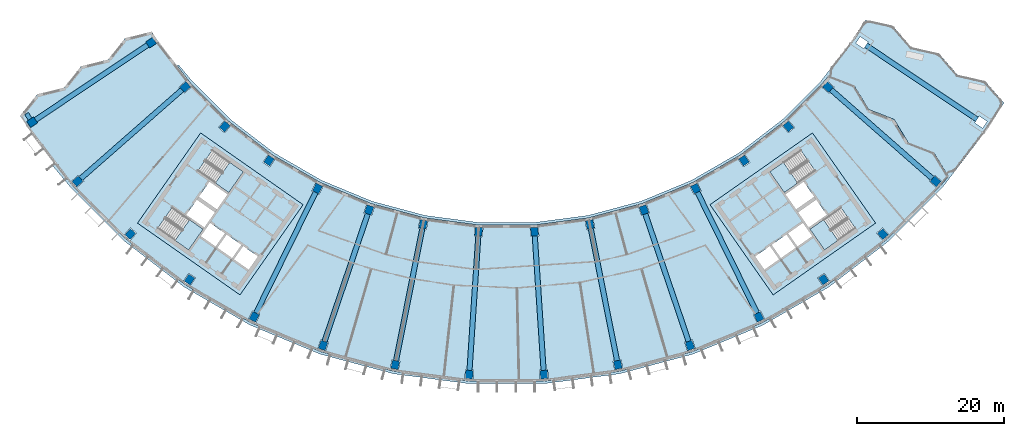
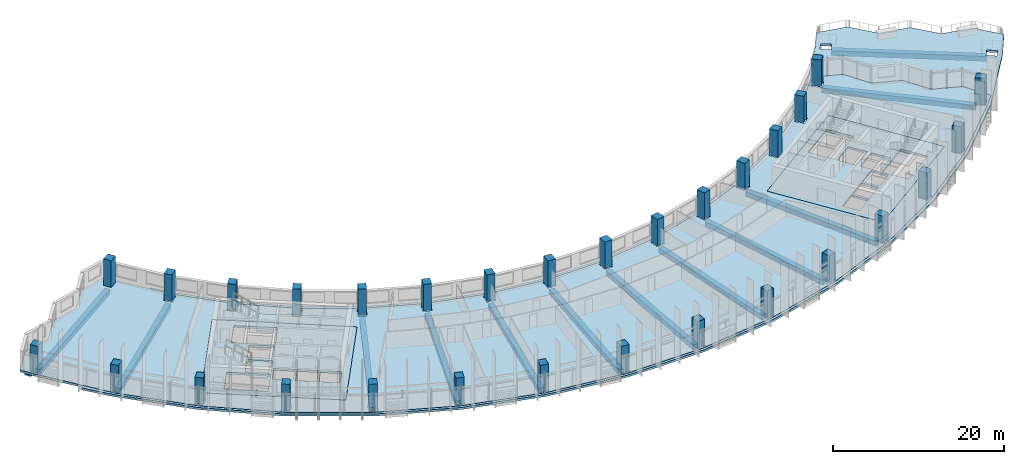
# One storey, part 1 of 30: 30 columns, 13 beams, 8 slabs, 4 elements without a shape of their own.
"""IFC4 building model written with IfcOpenShell, lengths in metres."""

import ifcopenshell
import ifcopenshell.guid

model = None  # the IFC model being written
_history = None  # IfcOwnerHistory: only IFC2X3 demands one
_inside = {}  # id of a spatial element -> (the spatial element, [elements in it])
_under = {}  # id of a project, library or spatial element -> (it, [spatial elements below it])
_declared = {}  # id of a project -> (the project, [libraries it declares])
_typed = {}  # id of a type object -> (the type object, [elements of that type])
_made_of = {}  # id of a material, layer set ... -> (it, [elements and type objects made of it])


def new_model(schema):
    """Start an empty IFC model of exactly this schema.

    Asked for "IFC4X3", IfcOpenShell would pick the latest addendum, in which some entities
    have other attributes; the version numbers below select the first issue.
    IFC2X3 requires an IfcOwnerHistory on every rooted entity: one is made here for all.
    """
    global model, _history
    if schema == "IFC4X3":
        model = ifcopenshell.file(schema_version=(4, 3, 0, 0))
    else:
        model = ifcopenshell.file(schema=schema)
    _inside.clear()
    _under.clear()
    _declared.clear()
    _typed.clear()
    _made_of.clear()
    _history = None
    if model.schema == "IFC2X3":
        org = make("IfcOrganization", Name="unknown")
        user = make(
            "IfcPersonAndOrganization",
            ThePerson=make("IfcPerson", FamilyName="unknown"),
            TheOrganization=org,
        )
        app = make(
            "IfcApplication",
            ApplicationDeveloper=org,
            Version="unknown",
            ApplicationFullName="unknown",
            ApplicationIdentifier="unknown",
        )
        _history = make(
            "IfcOwnerHistory",
            OwningUser=user,
            OwningApplication=app,
            ChangeAction="ADDED",
            CreationDate=0,
        )
    return model


def make(cls, **values):
    """One entity of the class cls with the attributes given. An attribute that is None is left unset."""
    return model.create_entity(
        cls, **{name: value for name, value in values.items() if value is not None}
    )


def rooted(cls, **values):
    """An entity with a GlobalId (a new one), such as an element, a storey or a relation."""
    return make(cls, GlobalId=ifcopenshell.guid.new(), OwnerHistory=_history, **values)


def si_unit(unit_type, name, prefix=None):
    """IfcSIUnit, for example si_unit("LENGTHUNIT", "METRE", prefix="MILLI")."""
    return make("IfcSIUnit", UnitType=unit_type, Prefix=prefix, Name=name)


def assignment(units):
    """IfcUnitAssignment: the units of a project."""
    return None if units is None else make("IfcUnitAssignment", Units=units)


def point(xyz):
    """IfcCartesianPoint."""
    return None if xyz is None else make("IfcCartesianPoint", Coordinates=xyz)


def direction(xyz):
    """IfcDirection."""
    return None if xyz is None else make("IfcDirection", DirectionRatios=xyz)


def frame(location, z_axis=None, x_axis=None):
    """IfcAxis2Placement3D, a coordinate frame: its origin and axes. An axis left out is left unset."""
    return make(
        "IfcAxis2Placement3D",
        Location=point(location),
        Axis=direction(z_axis),
        RefDirection=direction(x_axis),
    )


def frame_2d(location, x_axis=None):
    """IfcAxis2Placement2D, a coordinate frame in the plane: its origin and x axis."""
    return make(
        "IfcAxis2Placement2D", Location=point(location), RefDirection=direction(x_axis)
    )


def origin():
    """The frame at (0, 0, 0) with its axes left unset."""
    return frame((0.0, 0.0, 0.0))


def origin_2d():
    """The frame at (0, 0) in the plane with its x axis left unset."""
    return frame_2d((0.0, 0.0))


def place(relative_to, where):
    """IfcLocalPlacement: puts the frame where relative to a parent placement (None: the world)."""
    return make(
        "IfcLocalPlacement", PlacementRelTo=relative_to, RelativePlacement=where
    )


def context(
    kind, dimensions, precision=None, world=None, true_north=None, identifier=None
):
    """IfcGeometricRepresentationContext, for example the 3D "Model" context."""
    return make(
        "IfcGeometricRepresentationContext",
        ContextIdentifier=identifier,
        ContextType=kind,
        CoordinateSpaceDimension=dimensions,
        Precision=precision,
        WorldCoordinateSystem=world,
        TrueNorth=true_north,
    )


def subcontext(parent, identifier, kind, view, scale=None):
    """IfcGeometricRepresentationSubContext, for example "Body" below "Model"."""
    return make(
        "IfcGeometricRepresentationSubContext",
        ContextIdentifier=identifier,
        ContextType=kind,
        ParentContext=parent,
        TargetScale=scale,
        TargetView=view,
    )


def project(units=None, contexts=None):
    """IfcProject with its units and contexts."""
    return rooted(
        "IfcProject",
        Name="project",
        RepresentationContexts=contexts,
        UnitsInContext=assignment(units),
    )


def spatial(cls, under=None, at=None, **own):
    """A site, building, storey or space (cls), placed at a placement, below another one or the project."""
    s = rooted(cls, ObjectPlacement=at, **own)
    if under is not None:
        _under.setdefault(under.id(), (under, []))[1].append(s)
    return s


def polyline(points):
    """IfcPolyline through the points."""
    return make("IfcPolyline", Points=[point(p) for p in points])


def profile(cls, at=None, kind="AREA", **sizes):
    """A parametric profile (cls). Its sizes go by their IFC names, for example OverallWidth=200.0."""
    return make(cls, ProfileType=kind, Position=at, **sizes)


def rectangle(**sizes):
    """IfcRectangleProfileDef."""
    return profile("IfcRectangleProfileDef", **sizes)


def outline(outer, holes=None, kind="AREA"):
    """IfcArbitraryClosedProfileDef: a profile drawn as a closed curve; with holes, ...WithVoids."""
    if holes is None:
        return make("IfcArbitraryClosedProfileDef", ProfileType=kind, OuterCurve=outer)
    return make(
        "IfcArbitraryProfileDefWithVoids",
        ProfileType=kind,
        OuterCurve=outer,
        InnerCurves=holes,
    )


def extrude(swept, where, along, depth):
    """IfcExtrudedAreaSolid: the profile swept, set in the frame where, extruded along a direction by depth."""
    return make(
        "IfcExtrudedAreaSolid",
        SweptArea=swept,
        Position=where,
        ExtrudedDirection=direction(along),
        Depth=depth,
    )


def shape(context_of_items, identifier, shape_type, items):
    """IfcShapeRepresentation: the items that make up one representation, for example the "Body"."""
    return make(
        "IfcShapeRepresentation",
        ContextOfItems=context_of_items,
        RepresentationIdentifier=identifier,
        RepresentationType=shape_type,
        Items=items,
    )


def material(Name=None, Category=None):
    """IfcMaterial."""
    return make("IfcMaterial", Name=Name, Category=Category)


def layer(
    of_material, thickness, ventilated=None, Name=None, Category=None, Priority=None
):
    """IfcMaterialLayer: one layer of a wall or slab, of a material (None: an air gap)."""
    return make(
        "IfcMaterialLayer",
        Material=of_material,
        LayerThickness=thickness,
        IsVentilated=ventilated,
        Name=Name,
        Category=Category,
        Priority=Priority,
    )


def layer_set(layers, Name=None):
    """IfcMaterialLayerSet."""
    return make("IfcMaterialLayerSet", MaterialLayers=layers, LayerSetName=Name)


def material_profile(
    of_material, cross_section, Name=None, Category=None, Priority=None
):
    """IfcMaterialProfile: a cross section and its material."""
    return make(
        "IfcMaterialProfile",
        Name=Name,
        Material=of_material,
        Profile=cross_section,
        Priority=Priority,
        Category=Category,
    )


def profile_set(profiles, Name=None, composite=None):
    """IfcMaterialProfileSet."""
    return make(
        "IfcMaterialProfileSet",
        Name=Name,
        MaterialProfiles=profiles,
        CompositeProfile=composite,
    )


def made_of(thing, what):
    """Note that an element or type object is made of a material, layer set ...; save() writes the relation."""
    if what is not None:
        _made_of.setdefault(what.id(), (what, []))[1].append(thing)
    return thing


def type_object(cls, material=None, **own):
    """A type object (cls), such as IfcWallType, which elements share."""
    return made_of(rooted(cls, **own), material)


def element(
    cls,
    number,
    at=None,
    inside=None,
    cuts=None,
    type_object=None,
    material=None,
    context=None,
    identifier="Body",
    shape_type=None,
    held_by="IfcProductDefinitionShape",
    body=None,
    shapes=None,
    **own,
):
    """One element of the class cls, such as IfcWall. Its Tag is "e" and its number.

    at: its placement. inside: the storey or other place that contains it. cuts: it is an
    opening in that element (IfcRelVoidsElement). A single representation is given by context,
    identifier, shape_type and body (its items); several are given by shapes. held_by: the class
    of the entity that holds the representations. save() writes the other relations.
    """
    e = rooted(cls, Tag="e%d" % number, ObjectPlacement=at, **own)
    if body is not None:
        shapes = [shape(context, identifier, shape_type, body)]
    if shapes is not None:
        e.Representation = make(held_by, Representations=shapes)
    if inside is not None:
        _inside.setdefault(inside.id(), (inside, []))[1].append(e)
    if cuts is not None:
        rooted(
            "IfcRelVoidsElement", RelatingBuildingElement=cuts, RelatedOpeningElement=e
        )
    if type_object is not None:
        _typed.setdefault(type_object.id(), (type_object, []))[1].append(e)
    return made_of(e, material)


def aggregate(whole, parts):
    """IfcRelAggregates: a whole, such as a stair, and the parts it consists of."""
    return rooted("IfcRelAggregates", RelatingObject=whole, RelatedObjects=parts)


def save(model, path):
    """Write the relations noted so far, then the file.

    IfcRelAggregates (storeys below a building ...), IfcRelContainedInSpatialStructure (elements
    in a storey), IfcRelDefinesByType, IfcRelAssociatesMaterial and IfcRelDeclares: one each for
    every whole, place, type object, material and project.
    """
    for whole, parts in _under.values():
        aggregate(whole, parts)
    for where, things in _inside.values():
        rooted(
            "IfcRelContainedInSpatialStructure",
            RelatedElements=things,
            RelatingStructure=where,
        )
    for kind, things in _typed.values():
        rooted("IfcRelDefinesByType", RelatedObjects=things, RelatingType=kind)
    for what, things in _made_of.values():
        rooted("IfcRelAssociatesMaterial", RelatedObjects=things, RelatingMaterial=what)
    for by, libraries in _declared.values():
        rooted("IfcRelDeclares", RelatingContext=by, RelatedDefinitions=libraries)
    model.write(path)


model = new_model("IFC4")

# Units and contexts
model_context = context("Model", 3, precision=1e-05, world=origin(), true_north=direction((0.0, 1.0)))
body_context = subcontext(model_context, "Body", "Model", "MODEL_VIEW")
ifc_project = project(units=[si_unit("LENGTHUNIT", "METRE"), si_unit("AREAUNIT", "SQUARE_METRE"), si_unit("VOLUMEUNIT", "CUBIC_METRE"), si_unit("PLANEANGLEUNIT", "RADIAN"), si_unit("MASSUNIT", "GRAM", prefix="KILO")], contexts=[model_context])

# Site, building, storey
site_placement = place(None, origin())
site = spatial("IfcSite", under=ifc_project, at=site_placement, CompositionType="ELEMENT")
building_placement = place(site_placement, origin())
building = spatial("IfcBuilding", under=site, at=building_placement, Name="Qamariyya Broadcast Tower", CompositionType="ELEMENT")
storey_placement = place(building_placement, frame((0.0, 0.0, 203.699951171875)))
storey = spatial("IfcBuildingStorey", under=building, at=storey_placement, Name="L48", CompositionType="ELEMENT", Elevation=203.699951171875)

# Columns
ifc_material_1 = material(Name="Concrete C60/75", Category="concrete")
ifc_material_profile_1 = material_profile(ifc_material_1, rectangle(XDim=1.0, YDim=1.14990234375, at=origin_2d()))
ifc_profile_set_1 = profile_set([ifc_material_profile_1], Name="Concrete C60/75")
column_type_1 = type_object("IfcColumnType", Name="RC column 1000 x 1150 C60/75", PredefinedType="COLUMN", material=ifc_profile_set_1)
for number, where, z_axis, x_axis, name in (
    (1, (-43.794677734375, -38.406982421875, 0.0), (0.0, 0.0, 1.0), (0.6593458151, -0.751839807479, 0.0), "Column C11 L48 B-R04"),
    (2, (-58.45556640625, -51.26416015625, 0.0), (0.0, 0.0, 1.0), (0.6593458151, -0.751839807479, 0.0), "Column C11 L48 C-R04"),
    (3, (-38.406982421875, -43.794677734375, 0.0), (0.0, 0.0, 1.0), (0.751839807479, -0.6593458151, 0.0), "Column C11 L48 B-R05"),
    (4, (-51.26416015625, -58.45556640625, 0.0), (0.0, 0.0, 1.0), (0.751839807479, -0.6593458151, 0.0), "Column C11 L48 C-R05"),
    (5, (-32.362060546875, -48.43310546875, 0.0), (0.0, 0.0, 1.0), (0.831469612303, -0.55557023302, 0.0), "Column C11 L48 B-R06"),
    (6, (-43.195556640625, -64.646728515625, 0.0), (0.0, 0.0, 1.0), (0.831469612303, -0.55557023302, 0.0), "Column C11 L48 C-R06"),
    (7, (-25.763427734375, -52.242919921875, 0.0), (0.0, 0.0, 1.0), (0.896872741533, -0.442288690219, 0.0), "Column C11 L48 B-R07"),
    (8, (-34.387939453125, -69.73193359375, 0.0), (0.0, 0.0, 1.0), (0.896872741533, -0.442288690219, 0.0), "Column C11 L48 C-R07"),
    (9, (-18.723876953125, -55.15869140625, 0.0), (0.0, 0.0, 1.0), (0.946930129495, -0.321439465303, 0.0), "Column C11 L48 B-R08"),
    (10, (-24.991943359375, -73.623779296875, 0.0), (0.0, 0.0, 1.0), (0.946930129495, -0.321439465303, 0.0), "Column C11 L48 C-R08"),
    (11, (-11.364013671875, -57.130859375, 0.0), (0.0, 0.0, 1.0), (0.980785280403, -0.195090322016, 0.0), "Column C11 L48 B-R09"),
    (12, (-15.168212890625, -76.256103515625, 0.0), (0.0, 0.0, 1.0), (0.980785280403, -0.195090322016, 0.0), "Column C11 L48 C-R09"),
    (13, (-3.809814453125, -58.125244140625, 0.0), (0.0, 0.0, 1.0), (0.997858923239, -0.06540312923, 0.0), "Column C11 L48 B-R10"),
    (14, (-5.085205078125, -77.58349609375, 0.0), (0.0, 0.0, 1.0), (0.997858923239, -0.06540312923, 0.0), "Column C11 L48 C-R10"),
    (15, (3.809814453125, -58.125244140625, 0.0), (0.0, 0.0, 1.0), (0.997858923239, 0.06540312923, 0.0), "Column C11 L48 B-R11"),
    (16, (5.085205078125, -77.58349609375, 0.0), (0.0, 0.0, 1.0), (0.997858923239, 0.06540312923, 0.0), "Column C11 L48 C-R11"),
    (17, (11.364013671875, -57.130859375, 0.0), (0.0, 0.0, 1.0), (0.980785280403, 0.195090322016, 0.0), "Column C11 L48 B-R12"),
    (18, (15.168212890625, -76.256103515625, 0.0), (0.0, 0.0, 1.0), (0.980785280403, 0.195090322016, 0.0), "Column C11 L48 C-R12"),
    (19, (18.723876953125, -55.15869140625, 0.0), (0.0, 0.0, 1.0), (0.946930129495, 0.321439465303, 0.0), "Column C11 L48 B-R13"),
    (20, (24.991943359375, -73.623779296875, 0.0), (0.0, 0.0, 1.0), (0.946930129495, 0.321439465303, 0.0), "Column C11 L48 C-R13"),
    (21, (25.763427734375, -52.242919921875, 0.0), (0.0, 0.0, 1.0), (0.896872741533, 0.442288690219, 0.0), "Column C11 L48 B-R14"),
    (22, (34.387939453125, -69.73193359375, 0.0), (0.0, 0.0, 1.0), (0.896872741533, 0.442288690219, 0.0), "Column C11 L48 C-R14"),
    (23, (32.362060546875, -48.43310546875, 0.0), (0.0, 0.0, 1.0), (0.831469612303, 0.55557023302, 0.0), "Column C11 L48 B-R15"),
    (24, (43.195556640625, -64.646728515625, 0.0), (0.0, 0.0, 1.0), (0.831469612303, 0.55557023302, 0.0), "Column C11 L48 C-R15"),
    (25, (38.406982421875, -43.794677734375, 0.0), (0.0, 0.0, 1.0), (0.751839807479, 0.6593458151, 0.0), "Column C11 L48 B-R16"),
    (26, (51.26416015625, -58.45556640625, 0.0), (0.0, 0.0, 1.0), (0.751839807479, 0.6593458151, 0.0), "Column C11 L48 C-R16"),
    (27, (43.794677734375, -38.406982421875, 0.0), (0.0, 0.0, 1.0), (0.6593458151, 0.751839807479, 0.0), "Column C11 L48 B-R17"),
    (28, (58.45556640625, -51.26416015625, 0.0), (0.0, 0.0, 1.0), (0.6593458151, 0.751839807479, 0.0), "Column C11 L48 C-R17"),
):
    element("IfcColumn", number, at=place(storey_placement, frame(where, z_axis=z_axis, x_axis=x_axis)), inside=storey, type_object=column_type_1, Name=name, PredefinedType="COLUMN", context=body_context, shape_type="SweptSolid", body=[
        extrude(rectangle(XDim=1.0, YDim=1.14990234375, at=origin_2d()), origin(), (0.0, 0.0, 1.0), 3.800048828125),
    ])
ifc_material_profile_2 = material_profile(ifc_material_1, rectangle(XDim=1.0, YDim=1.14990234375, at=origin_2d()))
ifc_profile_set_2 = profile_set([ifc_material_profile_2], Name="Concrete C60/75")
column_type_2 = type_object("IfcColumnType", Name="RC column 1000 x 1150 C60/75 on transfer truss", PredefinedType="COLUMN", material=ifc_profile_set_2)
for number, where, z_axis, x_axis, name in (
    (29, (-48.43310546875, -32.362060546875, -0.300048828125), (0.0, 0.0, 1.0), (0.55557023302, -0.831469612303, 0.0), "Column C10 L48 B-R03"),
    (30, (-64.646728515625, -43.195556640625, -0.300048828125), (0.0, 0.0, 1.0), (0.55557023302, -0.831469612303, 0.0), "Column C10 L48 C-R03"),
):
    element("IfcColumn", number, at=place(storey_placement, frame(where, z_axis=z_axis, x_axis=x_axis)), inside=storey, type_object=column_type_2, Name=name, PredefinedType="COLUMN", context=body_context, shape_type="SweptSolid", body=[
        extrude(rectangle(XDim=1.0, YDim=1.14990234375, at=origin_2d()), origin(), (0.0, 0.0, 1.0), 4.10009765625),
    ])

# Beams
ifc_material_2 = material(Name="Concrete C40/50", Category="concrete")
ifc_material_profile_3 = material_profile(ifc_material_2, rectangle(XDim=0.60009765625, YDim=0.699951171875, at=origin_2d()))
ifc_profile_set_3 = profile_set([ifc_material_profile_3], Name="Concrete C40/50")
beam_type_1 = type_object("IfcBeamType", Name="RC horn beam 600 x 700 C40/50", PredefinedType="BEAM", material=ifc_profile_set_3)
beam_1_placement = place(storey_placement, frame((-64.920166015625, -42.77685546875, -0.64990234375), z_axis=(-0.546784924005, 0.83727310173, 0.0), x_axis=(-0.83727310173, -0.546784924005, 0.0)))
element("IfcBeam", 31, at=beam_1_placement, inside=storey, type_object=beam_type_1, Name="Horn beam B19 L48 W C-R03", PredefinedType="BEAM", context=body_context, shape_type="SweptSolid", body=[
    extrude(rectangle(XDim=0.60009765625, YDim=0.699951171875, at=origin_2d()), origin(), (0.0, 0.0, 1.0), 0.878173828125),
])
ifc_material_profile_4 = material_profile(ifc_material_2, rectangle(XDim=0.699951171875, YDim=0.699951171875, at=origin_2d()))
ifc_profile_set_4 = profile_set([ifc_material_profile_4], Name="Concrete C40/50")
beam_type_2 = type_object("IfcBeamType", Name="RC radial beam 700 x 700 C40/50", PredefinedType="BEAM", material=ifc_profile_set_4)
beam_2_placement = place(storey_placement, frame((-48.9111328125, -32.681396484375, -0.64990234375), z_axis=(-0.831468530479, -0.55557185208, 0.0), x_axis=(0.55557185208, -0.831468530479, 0.0)))
element("IfcBeam", 32, at=beam_2_placement, inside=storey, type_object=beam_type_2, Name="Radial beam B18 L48 R03 B-C", PredefinedType="BEAM", context=body_context, shape_type="SweptSolid", body=[
    extrude(rectangle(XDim=0.699951171875, YDim=0.699951171875, at=origin_2d()), origin(), (0.0, 0.0, 1.0), 18.35009765625),
])
for number, where, z_axis, x_axis, name in (
    (33, (-44.22705078125, -38.7861328125, -0.64990234375), (-0.751840222646, -0.659345341692, 0.0), (0.659345341692, -0.751840222646, 0.0), "Radial beam B18 L48 R04 B-C"),
    (34, (-26.017578125, -52.758544921875, -0.64990234375), (-0.442289405452, -0.896872388819, 0.0), (0.896872388819, -0.442289405452, 0.0), "Radial beam B18 L48 R07 B-C"),
):
    element("IfcBeam", number, at=place(storey_placement, frame(where, z_axis=z_axis, x_axis=x_axis)), inside=storey, type_object=beam_type_2, Name=name, PredefinedType="BEAM", context=body_context, shape_type="SweptSolid", body=[
        extrude(rectangle(XDim=0.699951171875, YDim=0.699951171875, at=origin_2d()), origin(), (0.0, 0.0, 1.0), 18.349853515625),
    ])
for number, where, z_axis, x_axis, name in (
    (35, (-18.90869140625, -55.703125, -0.64990234375), (-0.321439728167, -0.946930040265, 0.0), (0.946930040265, -0.321439728167, 0.0), "Radial beam B18 L48 R08 B-C"),
    (36, (-11.47607421875, -57.694580078125, -0.64990234375), (-0.195097720648, -0.980783808695, 0.0), (0.980783808695, -0.195097720648, 0.0), "Radial beam B18 L48 R09 B-C"),
    (37, (-3.847412109375, -58.698974609375, -0.64990234375), (-0.065405444204, -0.997858771505, 0.0), (0.997858771505, -0.065405444204, 0.0), "Radial beam B18 L48 R10 B-C"),
    (38, (3.847412109375, -58.698974609375, -0.64990234375), (0.065405444204, -0.997858771505, 0.0), (0.997858771505, 0.065405444204, 0.0), "Radial beam B18 L48 R11 B-C"),
    (39, (11.47607421875, -57.694580078125, -0.64990234375), (0.195097720648, -0.980783808695, 0.0), (0.980783808695, 0.195097720648, 0.0), "Radial beam B18 L48 R12 B-C"),
    (40, (18.90869140625, -55.703125, -0.64990234375), (0.321439728167, -0.946930040265, 0.0), (0.946930040265, 0.321439728167, 0.0), "Radial beam B18 L48 R13 B-C"),
):
    element("IfcBeam", number, at=place(storey_placement, frame(where, z_axis=z_axis, x_axis=x_axis)), inside=storey, type_object=beam_type_2, Name=name, PredefinedType="BEAM", context=body_context, shape_type="SweptSolid", body=[
        extrude(rectangle(XDim=0.699951171875, YDim=0.699951171875, at=origin_2d()), origin(), (0.0, 0.0, 1.0), 18.35009765625),
    ])
for number, where, z_axis, x_axis, name in (
    (41, (26.017578125, -52.758544921875, -0.64990234375), (0.442289405452, -0.896872388819, 0.0), (0.896872388819, 0.442289405452, 0.0), "Radial beam B18 L48 R14 B-C"),
    (42, (44.22705078125, -38.7861328125, -0.64990234375), (0.751840222646, -0.659345341692, 0.0), (0.659345341692, 0.751840222646, 0.0), "Radial beam B18 L48 R17 B-C"),
):
    element("IfcBeam", number, at=place(storey_placement, frame(where, z_axis=z_axis, x_axis=x_axis)), inside=storey, type_object=beam_type_2, Name=name, PredefinedType="BEAM", context=body_context, shape_type="SweptSolid", body=[
        extrude(rectangle(XDim=0.699951171875, YDim=0.699951171875, at=origin_2d()), origin(), (0.0, 0.0, 1.0), 18.349853515625),
    ])
beam_3_placement = place(storey_placement, frame((48.9736328125, -32.72314453125, -0.64990234375), z_axis=(0.831467855631, -0.555572862056, 0.0), x_axis=(0.555572862056, 0.831467855631, 0.0)))
element("IfcBeam", 43, at=beam_3_placement, inside=storey, type_object=beam_type_2, Name="Radial beam B18 L48 R18 B-C", PredefinedType="BEAM", context=body_context, shape_type="SweptSolid", body=[
    extrude(rectangle(XDim=0.699951171875, YDim=0.699951171875, at=origin_2d()), origin(), (0.0, 0.0, 1.0), 18.19970703125),
])

# Slabs
ifc_layer_1 = layer(ifc_material_2, 0.300048828125)
ifc_layer_set_1 = layer_set([ifc_layer_1], Name="Core floor slab 300 mm Concrete C40/50")
slab_type_1 = type_object("IfcSlabType", Name="Core floor slab 300 mm Concrete C40/50", PredefinedType="FLOOR", material=ifc_layer_set_1)
slab_1_placement = place(storey_placement, frame((0.0, 0.0, -0.300048828125)))
element("IfcSlab", 44, at=slab_1_placement, inside=storey, type_object=slab_type_1, Name="k-W-L48-slab", PredefinedType="FLOOR", context=body_context, shape_type="SweptSolid", body=[
    extrude(outline(polyline([(-50.286376953125, -56.95751953125), (-36.32373046875, -66.734375), (-27.719970703125, -54.447021484375), (-41.6826171875, -44.67041015625), (-50.286376953125, -56.95751953125)]), holes=[polyline([(-33.87353515625, -61.49169921875), (-35.88037109375, -60.08642578125), (-37.142333984375, -61.888427734375), (-35.13525390625, -63.293701171875), (-33.87353515625, -61.49169921875)]), polyline([(-36.126220703125, -59.914306640625), (-38.133056640625, -58.509033203125), (-39.394775390625, -60.311279296875), (-37.387939453125, -61.716552734375), (-36.126220703125, -59.914306640625)]), polyline([(-38.378662109375, -58.3369140625), (-40.3857421875, -56.931640625), (-41.6474609375, -58.73388671875), (-39.640625, -60.13916015625), (-38.378662109375, -58.3369140625)]), polyline([(-39.742431640625, -55.489990234375), (-42.199951171875, -53.769287109375), (-43.6337890625, -55.817138671875), (-41.17626953125, -57.537841796875), (-39.742431640625, -55.489990234375)]), polyline([(-39.45556640625, -55.080322265625), (-41.9130859375, -53.359619140625), (-40.47900390625, -51.311767578125), (-38.021728515625, -53.032470703125), (-39.45556640625, -55.080322265625)]), polyline([(-42.06103515625, -49.837890625), (-37.849609375, -52.78662109375), (-35.870849609375, -49.960693359375), (-40.082275390625, -47.01171875), (-42.06103515625, -49.837890625)]), polyline([(-47.538818359375, -57.66064453125), (-43.3271484375, -60.609619140625), (-41.348388671875, -57.783447265625), (-45.559814453125, -54.834716796875), (-47.538818359375, -57.66064453125)])]), origin(), (0.0, 0.0, 1.0), 0.300048828125),
])
slab_2_placement = place(storey_placement, frame((0.0, 0.0, -0.300048828125)))
element("IfcSlab", 45, at=slab_2_placement, inside=storey, type_object=slab_type_1, Name="k-E-L48-slab", PredefinedType="FLOOR", context=body_context, shape_type="SweptSolid", body=[
    extrude(outline(polyline([(36.32373046875, -66.734375), (50.286376953125, -56.95751953125), (41.6826171875, -44.67041015625), (27.719970703125, -54.447021484375), (36.32373046875, -66.734375)]), holes=[polyline([(33.87353515625, -61.49169921875), (35.88037109375, -60.08642578125), (37.142333984375, -61.888427734375), (35.13525390625, -63.293701171875), (33.87353515625, -61.49169921875)]), polyline([(36.126220703125, -59.914306640625), (38.133056640625, -58.509033203125), (39.394775390625, -60.311279296875), (37.387939453125, -61.716552734375), (36.126220703125, -59.914306640625)]), polyline([(38.378662109375, -58.3369140625), (40.3857421875, -56.931640625), (41.6474609375, -58.73388671875), (39.640625, -60.13916015625), (38.378662109375, -58.3369140625)]), polyline([(39.742431640625, -55.489990234375), (42.199951171875, -53.769287109375), (43.6337890625, -55.817138671875), (41.17626953125, -57.537841796875), (39.742431640625, -55.489990234375)]), polyline([(39.45556640625, -55.080322265625), (41.9130859375, -53.359619140625), (40.47900390625, -51.311767578125), (38.021728515625, -53.032470703125), (39.45556640625, -55.080322265625)]), polyline([(40.082275390625, -47.01171875), (35.870849609375, -49.960693359375), (37.849609375, -52.78662109375), (42.06103515625, -49.837890625), (40.082275390625, -47.01171875)]), polyline([(45.559814453125, -54.834716796875), (41.348388671875, -57.783447265625), (43.3271484375, -60.609619140625), (47.538818359375, -57.66064453125), (45.559814453125, -54.834716796875)])]), origin(), (0.0, 0.0, 1.0), 0.300048828125),
])
ifc_layer_2 = layer(ifc_material_2, 0.300048828125)
ifc_layer_set_2 = layer_set([ifc_layer_2], Name="Post-tensioned floor slab 300 C40/50")
slab_type_2 = type_object("IfcSlabType", Name="Post-tensioned floor slab 300 C40/50", PredefinedType="FLOOR", material=ifc_layer_set_2)
slab_3_placement = place(storey_placement, frame((0.0, 0.0, -0.300048828125)))
element("IfcSlab", 46, at=slab_3_placement, inside=storey, type_object=slab_type_2, Name="Floor slab S4 L48", PredefinedType="FLOOR", context=body_context, shape_type="SweptSolid", body=[
    extrude(outline(polyline([(-63.94091796875, -39.389892578125), (-66.2958984375, -42.31640625), (-65.39501953125, -43.695556640625), (-59.132080078125, -51.857666015625), (-51.857666015625, -59.132080078125), (-43.695556640625, -65.39501953125), (-34.785888671875, -70.5390625), (-25.28125, -74.47607421875), (-15.34375, -77.138671875), (-5.14404296875, -78.481689453125), (5.14404296875, -78.481689453125), (15.34375, -77.138671875), (25.28125, -74.47607421875), (34.785888671875, -70.5390625), (43.695556640625, -65.39501953125), (51.857666015625, -59.132080078125), (59.132080078125, -51.857666015625), (60.205322265625, -50.60791015625), (58.252685546875, -47.39892578125), (54.770263671875, -46.039306640625), (52.81689453125, -42.82958984375), (49.33544921875, -41.470703125), (47.380859375, -38.26025390625), (43.900390625, -36.902099609375), (43.117919921875, -37.8134765625), (37.8134765625, -43.117919921875), (31.862060546875, -47.684814453125), (25.365234375, -51.435546875), (18.4345703125, -54.306396484375), (11.1884765625, -56.248046875), (3.7509765625, -57.227294921875), (-3.7509765625, -57.227294921875), (-11.1884765625, -56.248046875), (-18.4345703125, -54.306396484375), (-25.365234375, -51.435546875), (-31.862060546875, -47.684814453125), (-37.8134765625, -43.117919921875), (-43.117919921875, -37.8134765625), (-47.684814453125, -31.862060546875), (-48.341552734375, -30.8564453125), (-51.969482421875, -31.74853515625), (-54.326416015625, -34.67626953125), (-57.955322265625, -35.5693359375), (-60.31103515625, -38.496337890625), (-63.94091796875, -39.389892578125)]), holes=[polyline([(-5.676513671875, -78.1962890625), (-5.59130859375, -76.89892578125), (-4.49365234375, -76.970947265625), (-4.578857421875, -78.26806640625), (-5.676513671875, -78.1962890625)]), polyline([(-15.83447265625, -76.786376953125), (-15.580810546875, -75.51123046875), (-14.501953125, -75.725830078125), (-14.755615234375, -77.0009765625), (-15.83447265625, -76.786376953125)]), polyline([(-25.7216796875, -74.0625), (-25.3037109375, -72.83154296875), (-24.26220703125, -73.18505859375), (-24.679931640625, -74.416015625), (-25.7216796875, -74.0625)]), polyline([(-35.168701171875, -70.071533203125), (-34.59375, -68.905517578125), (-33.607177734375, -69.39208984375), (-34.18212890625, -70.55810546875), (-35.168701171875, -70.071533203125)]), polyline([(-44.013916015625, -64.881591796875), (-43.291748046875, -63.80078125), (-42.377197265625, -64.411865234375), (-43.099365234375, -65.49267578125), (-44.013916015625, -64.881591796875)]), polyline([(-52.106201171875, -58.58154296875), (-51.2490234375, -57.604248046875), (-50.422119140625, -58.32958984375), (-51.279296875, -59.306884765625), (-52.106201171875, -58.58154296875)]), polyline([(-4.401123046875, -58.738037109375), (-4.316162109375, -57.440673828125), (-3.218505859375, -57.5126953125), (-3.303466796875, -58.809814453125), (-4.401123046875, -58.738037109375)]), polyline([(-12.0302734375, -57.660888671875), (-11.776611328125, -56.385986328125), (-10.69775390625, -56.6005859375), (-10.951416015625, -57.87548828125), (-12.0302734375, -57.660888671875)]), polyline([(-50.286376953125, -56.95751953125), (-41.6826171875, -44.67041015625), (-27.719970703125, -54.447021484375), (-36.32373046875, -66.734375), (-50.286376953125, -56.95751953125)]), polyline([(-19.45361328125, -55.597412109375), (-19.03564453125, -54.366455078125), (-17.994140625, -54.719970703125), (-18.411865234375, -55.950927734375), (-19.45361328125, -55.597412109375)]), polyline([(-26.544189453125, -52.58251953125), (-25.968994140625, -51.41650390625), (-24.982666015625, -51.903076171875), (-25.5576171875, -53.069091796875), (-26.544189453125, -52.58251953125)]), polyline([(-59.306884765625, -51.279296875), (-58.32958984375, -50.422119140625), (-57.604248046875, -51.2490234375), (-58.58154296875, -52.106201171875), (-59.306884765625, -51.279296875)]), polyline([(-33.180419921875, -48.66796875), (-32.458251953125, -47.587158203125), (-31.54345703125, -48.1982421875), (-32.265869140625, -49.279052734375), (-33.180419921875, -48.66796875)]), polyline([(-39.2490234375, -43.920654296875), (-38.391845703125, -42.943359375), (-37.564697265625, -43.668701171875), (-38.421875, -44.64599609375), (-39.2490234375, -43.920654296875)]), polyline([(-65.402587890625, -43.099365234375), (-64.446533203125, -42.46044921875), (-63.890869140625, -43.291748046875), (-64.84716796875, -43.9306640625), (-65.402587890625, -43.099365234375)]), polyline([(-43.668701171875, -37.564697265625), (-42.943359375, -38.391845703125), (-43.920654296875, -39.2490234375), (-44.64599609375, -38.421875), (-43.668701171875, -37.564697265625)]), polyline([(-48.23291015625, -31.626708984375), (-47.67724609375, -32.458251953125), (-48.63330078125, -33.09716796875), (-49.18896484375, -32.265625), (-48.23291015625, -31.626708984375)]), polyline([(4.578857421875, -78.26806640625), (4.49365234375, -76.970947265625), (5.59130859375, -76.89892578125), (5.676513671875, -78.1962890625), (4.578857421875, -78.26806640625)]), polyline([(14.755615234375, -77.0009765625), (14.501953125, -75.725830078125), (15.580810546875, -75.51123046875), (15.83447265625, -76.786376953125), (14.755615234375, -77.0009765625)]), polyline([(24.679931640625, -74.416015625), (24.26220703125, -73.18505859375), (25.3037109375, -72.83154296875), (25.7216796875, -74.0625), (24.679931640625, -74.416015625)]), polyline([(34.18212890625, -70.55810546875), (33.607177734375, -69.39208984375), (34.59375, -68.905517578125), (35.168701171875, -70.071533203125), (34.18212890625, -70.55810546875)]), polyline([(43.099365234375, -65.49267578125), (42.377197265625, -64.411865234375), (43.291748046875, -63.80078125), (44.013916015625, -64.881591796875), (43.099365234375, -65.49267578125)]), polyline([(51.279296875, -59.306884765625), (50.422119140625, -58.32958984375), (51.2490234375, -57.604248046875), (52.106201171875, -58.58154296875), (51.279296875, -59.306884765625)]), polyline([(3.303466796875, -58.809814453125), (3.218505859375, -57.5126953125), (4.316162109375, -57.440673828125), (4.401123046875, -58.738037109375), (3.303466796875, -58.809814453125)]), polyline([(10.951416015625, -57.87548828125), (10.69775390625, -56.6005859375), (11.776611328125, -56.385986328125), (12.0302734375, -57.660888671875), (10.951416015625, -57.87548828125)]), polyline([(36.32373046875, -66.734375), (27.719970703125, -54.447021484375), (41.6826171875, -44.67041015625), (50.286376953125, -56.95751953125), (36.32373046875, -66.734375)]), polyline([(18.411865234375, -55.950927734375), (17.994140625, -54.719970703125), (19.03564453125, -54.366455078125), (19.45361328125, -55.597412109375), (18.411865234375, -55.950927734375)]), polyline([(25.5576171875, -53.069091796875), (24.982666015625, -51.903076171875), (25.968994140625, -51.41650390625), (26.544189453125, -52.58251953125), (25.5576171875, -53.069091796875)]), polyline([(58.58154296875, -52.106201171875), (57.604248046875, -51.2490234375), (58.32958984375, -50.422119140625), (59.306884765625, -51.279296875), (58.58154296875, -52.106201171875)]), polyline([(32.265869140625, -49.279052734375), (31.54345703125, -48.1982421875), (32.458251953125, -47.587158203125), (33.180419921875, -48.66796875), (32.265869140625, -49.279052734375)]), polyline([(38.421875, -44.64599609375), (37.564697265625, -43.668701171875), (38.391845703125, -42.943359375), (39.2490234375, -43.920654296875), (38.421875, -44.64599609375)]), polyline([(42.943359375, -38.391845703125), (43.668701171875, -37.564697265625), (44.64599609375, -38.421875), (43.920654296875, -39.2490234375), (42.943359375, -38.391845703125)])]), origin(), (0.0, 0.0, 1.0), 0.300048828125),
])
ifc_layer_3 = layer(ifc_material_2, 0.300048828125)
ifc_layer_set_3 = layer_set([ifc_layer_3], Name="Roof slab 300 C40/50")
slab_type_3 = type_object("IfcSlabType", Name="Roof slab 300 C40/50", PredefinedType="ROOF", material=ifc_layer_set_3)
slab_4_placement = place(storey_placement, frame((0.0, 0.0, -0.300048828125)))
element("IfcSlab", 47, at=slab_4_placement, inside=storey, type_object=slab_type_3, Name="Terrace slab S6 L48", PredefinedType="ROOF", context=body_context, shape_type="SweptSolid", body=[
    extrude(outline(polyline([(-37.582763671875, -42.85498046875), (-42.85498046875, -37.582763671875), (-44.666259765625, -35.410888671875), (-44.896484375, -35.49560546875), (-43.117919921875, -37.8134765625), (-37.8134765625, -43.117919921875), (-31.862060546875, -47.684814453125), (-25.365234375, -51.435546875), (-18.4345703125, -54.306396484375), (-11.1884765625, -56.248046875), (-3.7509765625, -57.227294921875), (3.7509765625, -57.227294921875), (11.1884765625, -56.248046875), (18.4345703125, -54.306396484375), (25.365234375, -51.435546875), (31.862060546875, -47.684814453125), (37.8134765625, -43.117919921875), (43.117919921875, -37.8134765625), (43.900390625, -36.902099609375), (47.380859375, -38.26025390625), (49.33544921875, -41.470703125), (52.81689453125, -42.82958984375), (54.770263671875, -46.039306640625), (58.252685546875, -47.39892578125), (60.205322265625, -50.60791015625), (59.132080078125, -51.857666015625), (51.857666015625, -59.132080078125), (43.695556640625, -65.39501953125), (34.785888671875, -70.5390625), (25.28125, -74.47607421875), (15.34375, -77.138671875), (5.14404296875, -78.481689453125), (-5.14404296875, -78.481689453125), (-15.34375, -77.138671875), (-25.28125, -74.47607421875), (-34.785888671875, -70.5390625), (-43.695556640625, -65.39501953125), (-51.857666015625, -59.132080078125), (-59.132080078125, -51.857666015625), (-61.60888671875, -48.6298828125), (-61.90576171875, -49.078125), (-59.395263671875, -52.08837890625), (-52.08837890625, -59.395263671875), (-43.89013671875, -65.68603515625), (-34.94091796875, -70.85302734375), (-25.393798828125, -74.807373046875), (-15.412109375, -77.48193359375), (-5.166748046875, -78.830810546875), (5.166748046875, -78.830810546875), (15.412109375, -77.48193359375), (25.393798828125, -74.807373046875), (34.94091796875, -70.85302734375), (43.89013671875, -65.68603515625), (52.08837890625, -59.395263671875), (59.395263671875, -52.08837890625), (65.68603515625, -43.89013671875), (67.7822265625, -40.577880859375), (65.244384765625, -37.66015625), (61.490234375, -36.811279296875), (58.951416015625, -33.892822265625), (55.1982421875, -33.04443359375), (52.658203125, -30.12548828125), (48.90625, -29.27783203125), (47.393798828125, -31.66748046875), (42.85498046875, -37.582763671875), (37.582763671875, -42.85498046875), (31.66748046875, -47.393798828125), (25.21044921875, -51.121826171875), (18.322021484375, -53.97509765625), (11.1201171875, -55.90478515625), (3.72802734375, -56.8779296875), (-3.72802734375, -56.8779296875), (-11.1201171875, -55.90478515625), (-18.322021484375, -53.97509765625), (-25.21044921875, -51.121826171875), (-31.66748046875, -47.393798828125), (-37.582763671875, -42.85498046875)]), holes=[polyline([(64.881591796875, -44.013916015625), (63.80078125, -43.291748046875), (64.411865234375, -42.377197265625), (65.49267578125, -43.099365234375), (64.881591796875, -44.013916015625)]), polyline([(48.66796875, -33.180419921875), (47.587158203125, -32.458251953125), (48.1982421875, -31.54345703125), (49.279052734375, -32.265869140625), (48.66796875, -33.180419921875)])]), origin(), (0.0, 0.0, 1.0), 0.300048828125),
])

# Stair, slab
ifc_material_3 = material(Name="Concrete C50/60", Category="concrete")
stair_type = type_object("IfcStairType", Name="Exit stair 22 risers of 173 mm", PredefinedType="HALF_TURN_STAIR", material=ifc_material_3)
stair_1_placement = place(storey_placement, origin())
stair_1 = element("IfcStair", 48, at=stair_1_placement, inside=storey, type_object=stair_type, Name="L48 Stair W2", PredefinedType="HALF_TURN_STAIR")
ifc_layer_4 = layer(ifc_material_3, 0.199951171875)
ifc_layer_set_4 = layer_set([ifc_layer_4], Name="Stair landing")
slab_type_4 = type_object("IfcSlabType", Name="Stair landing", PredefinedType="LANDING", material=ifc_layer_set_4)
slab_5_placement = place(storey_placement, frame((0.0, 0.0, 1.699951171875)))
slab_5 = element("IfcSlab", 49, at=slab_5_placement, type_object=slab_type_4, Name="ST-W2 landing 1", PredefinedType="LANDING", context=body_context, shape_type="SweptSolid", body=[
    extrude(outline(polyline([(-39.692138671875, -51.49658203125), (-37.849609375, -52.78662109375), (-35.870849609375, -49.960693359375), (-37.71337890625, -48.67041015625), (-39.692138671875, -51.49658203125)])), origin(), (0.0, 0.0, 1.0), 0.2001953125),
])
aggregate(stair_1, [slab_5])

stair_2_placement = place(storey_placement, origin())
stair_2 = element("IfcStair", 50, at=stair_2_placement, inside=storey, type_object=stair_type, Name="L48 Stair W1", PredefinedType="HALF_TURN_STAIR")
slab_6_placement = place(storey_placement, frame((0.0, 0.0, 1.699951171875)))
slab_6 = element("IfcSlab", 51, at=slab_6_placement, type_object=slab_type_4, Name="ST-W1 landing 1", PredefinedType="LANDING", context=body_context, shape_type="SweptSolid", body=[
    extrude(outline(polyline([(-45.169677734375, -59.319580078125), (-43.3271484375, -60.609619140625), (-41.348388671875, -57.783447265625), (-43.19091796875, -56.493408203125), (-45.169677734375, -59.319580078125)])), origin(), (0.0, 0.0, 1.0), 0.2001953125),
])
aggregate(stair_2, [slab_6])

stair_3_placement = place(storey_placement, origin())
stair_3 = element("IfcStair", 52, at=stair_3_placement, inside=storey, type_object=stair_type, Name="L48 Stair E2", PredefinedType="HALF_TURN_STAIR")
slab_7_placement = place(storey_placement, frame((0.0, 0.0, 1.699951171875)))
slab_7 = element("IfcSlab", 53, at=slab_7_placement, type_object=slab_type_4, Name="ST-E2 landing 1", PredefinedType="LANDING", context=body_context, shape_type="SweptSolid", body=[
    extrude(outline(polyline([(37.71337890625, -48.67041015625), (35.870849609375, -49.960693359375), (37.849609375, -52.78662109375), (39.692138671875, -51.49658203125), (37.71337890625, -48.67041015625)])), origin(), (0.0, 0.0, 1.0), 0.2001953125),
])
aggregate(stair_3, [slab_7])

stair_4_placement = place(storey_placement, origin())
stair_4 = element("IfcStair", 54, at=stair_4_placement, inside=storey, type_object=stair_type, Name="L48 Stair E1", PredefinedType="HALF_TURN_STAIR")
slab_8_placement = place(storey_placement, frame((0.0, 0.0, 1.699951171875)))
slab_8 = element("IfcSlab", 55, at=slab_8_placement, type_object=slab_type_4, Name="ST-E1 landing 1", PredefinedType="LANDING", context=body_context, shape_type="SweptSolid", body=[
    extrude(outline(polyline([(43.19091796875, -56.493408203125), (41.348388671875, -57.783447265625), (43.3271484375, -60.609619140625), (45.169677734375, -59.319580078125), (43.19091796875, -56.493408203125)])), origin(), (0.0, 0.0, 1.0), 0.2001953125),
])
aggregate(stair_4, [slab_8])

save(model, "model.ifc")
